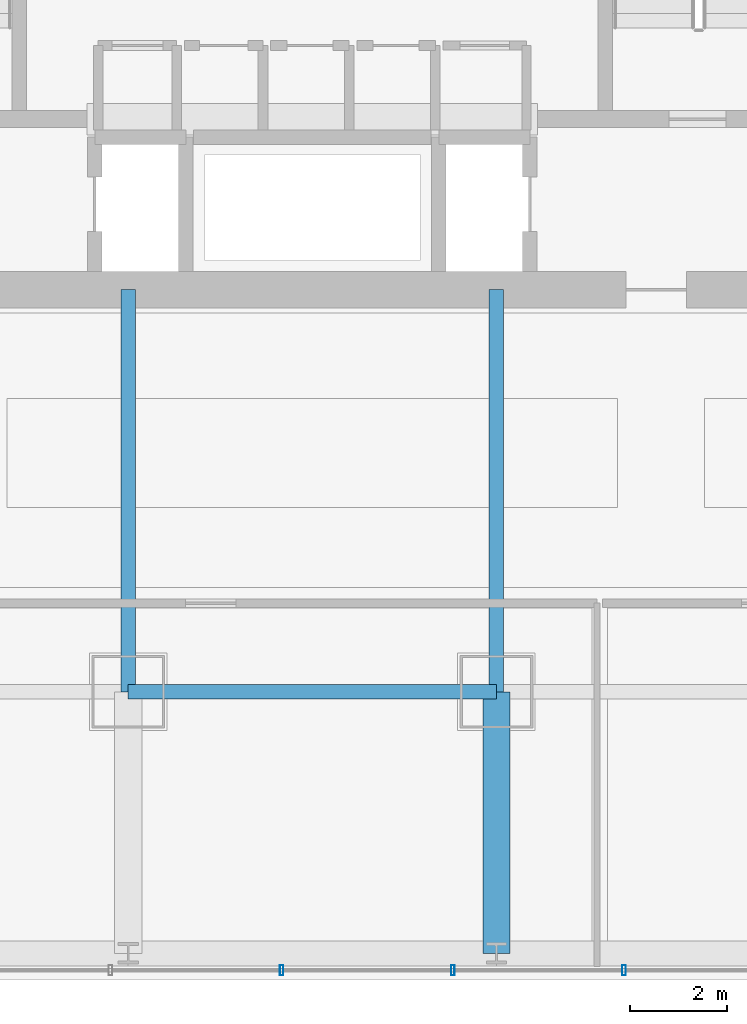
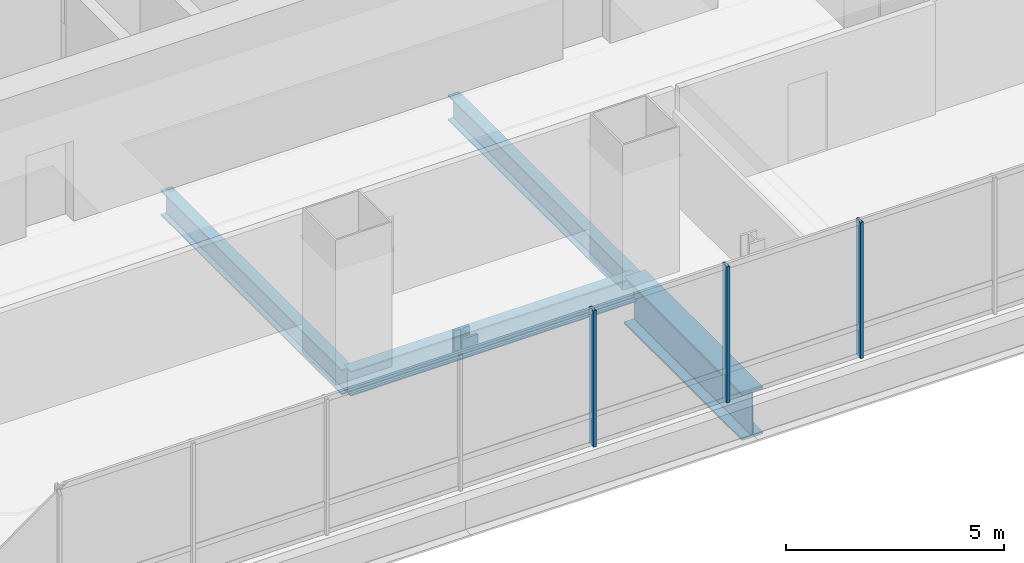
# One storey, part 8 of 35: 4 beams, 3 members, 1 element without a shape of its own.
"""IFC4 building model written with IfcOpenShell, lengths in metres."""

from ifc_helpers import new_model, si_unit, direction, frame, origin, origin_2d, place, context, subcontext, project, spatial, hollow_rectangle, i_section, extrude, material, material_profile, profile_set, type_object, element, aggregate, save


model = new_model("IFC4")

# Units and contexts
model_context = context("Model", 3, precision=1e-05, world=origin(), true_north=direction((0.0, 1.0)))
body_context = subcontext(model_context, "Body", "Model", "MODEL_VIEW")
ifc_project = project(units=[si_unit("LENGTHUNIT", "METRE"), si_unit("AREAUNIT", "SQUARE_METRE"), si_unit("VOLUMEUNIT", "CUBIC_METRE"), si_unit("PLANEANGLEUNIT", "RADIAN"), si_unit("MASSUNIT", "GRAM", prefix="KILO")], contexts=[model_context])

# Site, building, storey
site_placement = place(None, origin())
site = spatial("IfcSite", under=ifc_project, at=site_placement, CompositionType="ELEMENT")
building_placement = place(site_placement, origin())
building = spatial("IfcBuilding", under=site, at=building_placement, Name="Punatoya Terracotta Tower", CompositionType="ELEMENT")
storey_placement = place(building_placement, frame((0.0, 0.0, 52.5)))
storey = spatial("IfcBuildingStorey", under=building, at=storey_placement, Name="L11", CompositionType="ELEMENT", Elevation=52.5)

# Beams
ifc_material_1 = material(Name="Steel S355", Category="steel")
ifc_material_profile_1 = material_profile(ifc_material_1, i_section(OverallWidth=0.300048828125, OverallDepth=0.699951171875, WebThickness=0.01708984375, FlangeThickness=0.031982421875, FilletRadius=0.01806640625, at=origin_2d()))
ifc_profile_set_1 = profile_set([ifc_material_profile_1], Name="Steel S355")
beam_type_1 = type_object("IfcBeamType", Name="BM-PRI-700", PredefinedType="BEAM", material=ifc_profile_set_1)
beam_1_placement = place(storey_placement, frame((-3.800048828125, -17.5, -0.590087890625), z_axis=(1.0, 0.0, 0.0), x_axis=(0.0, 1.0, 0.0)))
element("IfcBeam", 1, at=beam_1_placement, inside=storey, type_object=beam_type_1, Name="BM-L11-RG-S2", PredefinedType="BEAM", context=body_context, shape_type="SweptSolid", body=[
    extrude(i_section(OverallWidth=0.300048828125, OverallDepth=0.699951171875, WebThickness=0.01708984375, FlangeThickness=0.031982421875, FilletRadius=0.01806640625, at=origin_2d()), origin(), (0.0, 0.0, 1.0), 7.60009765625),
])
for number, where, z_axis, x_axis, name in (
    (2, (-3.800048828125, -17.5, -0.590087890625), (0.0, 1.0, 0.0), (-1.0, 0.0, 0.0), "BM-L11-PR-S2"),
    (3, (3.800048828125, -17.5, -0.590087890625), (0.0, 1.0, 0.0), (-1.0, 0.0, 0.0), "BM-L11-PR-S3"),
):
    element("IfcBeam", number, at=place(storey_placement, frame(where, z_axis=z_axis, x_axis=x_axis)), inside=storey, type_object=beam_type_1, Name=name, PredefinedType="BEAM", context=body_context, shape_type="SweptSolid", body=[
        extrude(i_section(OverallWidth=0.300048828125, OverallDepth=0.699951171875, WebThickness=0.01708984375, FlangeThickness=0.031982421875, FilletRadius=0.01806640625, at=origin_2d()), origin(), (0.0, 0.0, 1.0), 8.300048828125),
    ])
ifc_material_2 = material(Name="Steel S460", Category="steel")
ifc_material_profile_2 = material_profile(ifc_material_2, i_section(OverallWidth=0.56005859375, OverallDepth=1.320068359375, WebThickness=0.035888671875, FlangeThickness=0.054931640625, FilletRadius=0.01806640625, at=origin_2d()))
ifc_profile_set_2 = profile_set([ifc_material_profile_2], Name="Steel S460")
beam_type_2 = type_object("IfcBeamType", Name="BM-TG-BLK", PredefinedType="BEAM", material=ifc_profile_set_2)
beam_2_placement = place(storey_placement, frame((3.800048828125, -22.89990234375, -0.89990234375), z_axis=(0.0, 1.0, 0.0), x_axis=(-1.0, 0.0, 0.0)))
element("IfcBeam", 4, at=beam_2_placement, inside=storey, type_object=beam_type_2, Name="BM-L11-CANT-S3", PredefinedType="BEAM", context=body_context, shape_type="SweptSolid", body=[
    extrude(i_section(OverallWidth=0.56005859375, OverallDepth=1.320068359375, WebThickness=0.035888671875, FlangeThickness=0.054931640625, FilletRadius=0.01806640625, at=origin_2d()), origin(), (0.0, 0.0, 1.0), 5.39990234375),
])

# Curtain wall, members
ifc_material_3 = material(Name="Aluminium 6063-T6 + Double Low-E Glass", Category="aluminium")
curtain_wall_type = type_object("IfcCurtainWallType", Name="CW-M1", PredefinedType="NOTDEFINED", material=ifc_material_3)
curtain_wall_placement = place(storey_placement, origin())
curtain_wall = element("IfcCurtainWall", 5, at=curtain_wall_placement, inside=storey, type_object=curtain_wall_type, Name="L11 Curtain Wall CW-L11-S01-1", PredefinedType="NOTDEFINED")
ifc_material_4 = material(Name="Aluminium 6063-T6", Category="aluminium")
ifc_material_profile_3 = material_profile(ifc_material_4, hollow_rectangle(XDim=0.074951171875, YDim=0.2099609375, WallThickness=0.00439453125, at=origin_2d()))
ifc_profile_set_3 = profile_set([ifc_material_profile_3], Name="Aluminium 6063-T6")
member_type = type_object("IfcMemberType", Name="CW-MUL-M1", PredefinedType="MULLION", material=ifc_profile_set_3)
member_1_placement = place(storey_placement, frame((-0.633056640625, -23.25, 0.0), z_axis=(0.0, 0.0, 1.0), x_axis=(1.0, 0.0, 0.0)))
member_1 = element("IfcMember", 6, at=member_1_placement, type_object=member_type, Name="CW-L11-S01-1 Mullion 06", PredefinedType="MULLION", context=body_context, shape_type="SweptSolid", body=[
    extrude(hollow_rectangle(XDim=0.074951171875, YDim=0.2099609375, WallThickness=0.00439453125, at=origin_2d()), origin(), (0.0, 0.0, 1.0), 3.81005859375),
])
member_2_placement = place(storey_placement, frame((2.90087890625, -23.25, 0.0), z_axis=(0.0, 0.0, 1.0), x_axis=(1.0, 0.0, 0.0)))
member_2 = element("IfcMember", 7, at=member_2_placement, type_object=member_type, Name="CW-L11-S01-1 Mullion 07", PredefinedType="MULLION", context=body_context, shape_type="SweptSolid", body=[
    extrude(hollow_rectangle(XDim=0.074951171875, YDim=0.2099609375, WallThickness=0.00439453125, at=origin_2d()), origin(), (0.0, 0.0, 1.0), 3.81005859375),
])
member_3_placement = place(storey_placement, frame((6.43505859375, -23.25, 0.0), z_axis=(0.0, 0.0, 1.0), x_axis=(1.0, 0.0, 0.0)))
member_3 = element("IfcMember", 8, at=member_3_placement, type_object=member_type, Name="CW-L11-S01-1 Mullion 08", PredefinedType="MULLION", context=body_context, shape_type="SweptSolid", body=[
    extrude(hollow_rectangle(XDim=0.074951171875, YDim=0.2099609375, WallThickness=0.00439453125, at=origin_2d()), origin(), (0.0, 0.0, 1.0), 3.81005859375),
])
aggregate(curtain_wall, [member_1, member_2, member_3])

save(model, "model.ifc")
